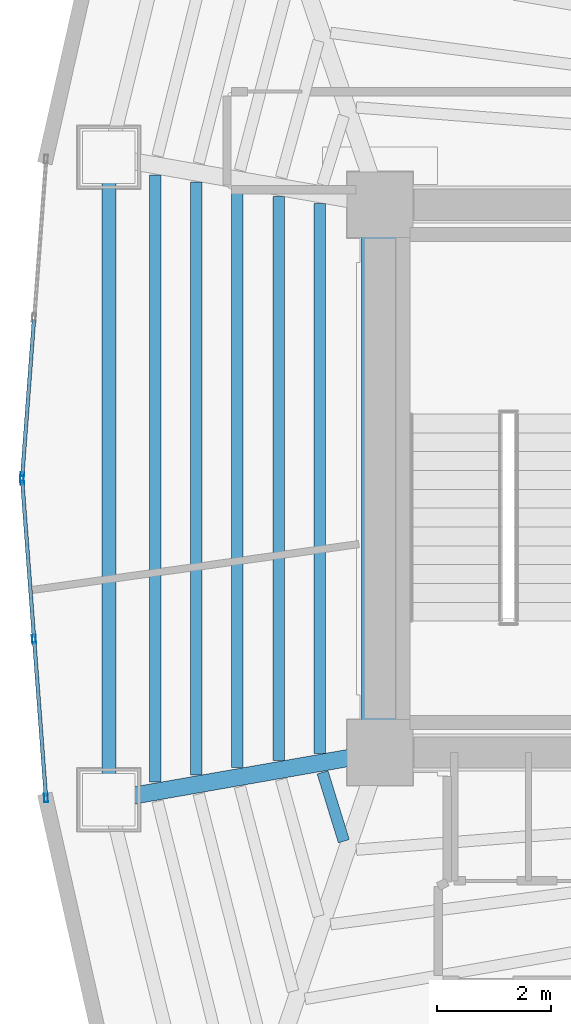
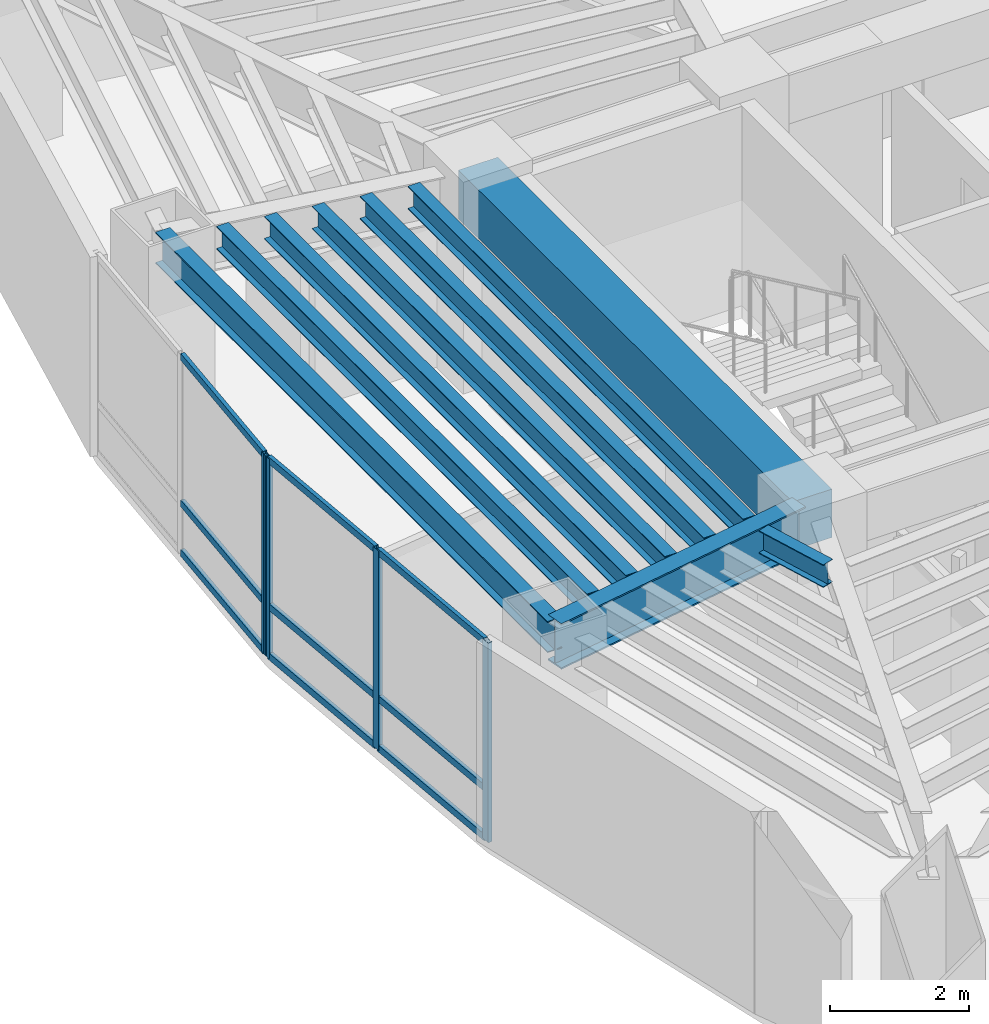
# One storey, part 3 of 15: 13 members, 9 beams, 2 elements without a shape of their own.
"""IFC4 building model written with IfcOpenShell, lengths in metres."""

from ifc_helpers import new_model, si_unit, direction, frame, origin, origin_2d, place, context, subcontext, project, spatial, rectangle, hollow_rectangle, i_section, extrude, material, layer, layer_set, material_profile, profile_set, type_object, element, aggregate, save


model = new_model("IFC4")

# Units and contexts
model_context = context("Model", 3, precision=1e-05, world=origin(), true_north=direction((0.0, 1.0)))
body_context = subcontext(model_context, "Body", "Model", "MODEL_VIEW")
ifc_project = project(units=[si_unit("LENGTHUNIT", "METRE"), si_unit("AREAUNIT", "SQUARE_METRE"), si_unit("VOLUMEUNIT", "CUBIC_METRE"), si_unit("PLANEANGLEUNIT", "RADIAN"), si_unit("MASSUNIT", "GRAM", prefix="KILO")], contexts=[model_context])

# Site, building, storey
site_placement = place(None, origin())
site = spatial("IfcSite", under=ifc_project, at=site_placement, CompositionType="ELEMENT")
building_placement = place(site_placement, origin())
building = spatial("IfcBuilding", under=site, at=building_placement, Name="Menara Vayukalpa", CompositionType="ELEMENT")
storey_placement = place(building_placement, frame((0.0, 0.0, 137.4599609375)))
storey = spatial("IfcBuildingStorey", under=building, at=storey_placement, Name="L34", CompositionType="ELEMENT", Elevation=137.4599609375)

# Beams
ifc_material_1 = material(Name="Concrete C60/75", Category="concrete")
ifc_material_profile_1 = material_profile(ifc_material_1, rectangle(XDim=0.64990234375, YDim=0.85009765625, at=origin_2d()), Name="RC 650x850")
ifc_profile_set_1 = profile_set([ifc_material_profile_1], Name="Concrete C60/75")
beam_type_1 = type_object("IfcBeamType", Name="BM-CB1", PredefinedType="BEAM", material=ifc_profile_set_1)
beam_1_placement = place(storey_placement, frame((17.800048828125, 17.199951171875, 3.074951171875), z_axis=(0.0, 1.0, 0.0), x_axis=(-1.0, 0.0, 0.0)))
element("IfcBeam", 1, at=beam_1_placement, inside=storey, type_object=beam_type_1, Name="L34 Core Tie Beam CBR7", PredefinedType="BEAM", context=body_context, shape_type="SweptSolid", body=[
    extrude(rectangle(XDim=0.64990234375, YDim=0.85009765625, at=origin_2d()), origin(), (0.0, 0.0, 1.0), 9.60009765625),
])
ifc_material_2 = material(Name="Steel S355", Category="steel")
ifc_material_profile_2 = material_profile(ifc_material_2, i_section(OverallWidth=0.300048828125, OverallDepth=0.800048828125, WebThickness=0.013916015625, FlangeThickness=0.02587890625, at=origin_2d()), Name="WF 800x300x14x26")
ifc_profile_set_2 = profile_set([ifc_material_profile_2], Name="Steel S355")
beam_type_2 = type_object("IfcBeamType", Name="BM-PG3", PredefinedType="BEAM", material=ifc_profile_set_2)
beam_2_placement = place(storey_placement, frame((17.5537109375, 17.156982421875, 3.10009765625), z_axis=(-0.985011651805, -0.172487813505, 0.0), x_axis=(0.172487813505, -0.985011651805, 0.0)))
element("IfcBeam", 2, at=beam_2_placement, inside=storey, type_object=beam_type_2, Name="L34 Primary Radial Girder RG06", PredefinedType="BEAM", context=body_context, shape_type="SweptSolid", body=[
    extrude(i_section(OverallWidth=0.300048828125, OverallDepth=0.800048828125, WebThickness=0.013916015625, FlangeThickness=0.02587890625, at=origin_2d()), origin(), (0.0, 0.0, 1.0), 4.5732421875),
])
ifc_material_3 = material(Name="Steel S355", Category="steel")
ifc_material_profile_3 = material_profile(ifc_material_3, i_section(OverallWidth=0.199951171875, OverallDepth=0.39990234375, WebThickness=0.008056640625, FlangeThickness=0.012939453125, at=origin_2d()), Name="WF 400x200x8x13")
ifc_profile_set_3 = profile_set([ifc_material_profile_3], Name="Steel S355")
beam_type_3 = type_object("IfcBeamType", Name="BM-SJ2", PredefinedType="JOIST", material=ifc_profile_set_3)
beam_3_placement = place(storey_placement, frame((16.742919921875, 26.815185546875, 3.300048828125), z_axis=(0.0, -1.0, 0.0), x_axis=(1.0, 0.0, 0.0)))
element("IfcBeam", 3, at=beam_3_placement, inside=storey, type_object=beam_type_3, Name="L34 Secondary Floor Joist SJ05-1", PredefinedType="JOIST", context=body_context, shape_type="SweptSolid", body=[
    extrude(i_section(OverallWidth=0.199951171875, OverallDepth=0.39990234375, WebThickness=0.008056640625, FlangeThickness=0.012939453125, at=origin_2d()), origin(), (0.0, 0.0, 1.0), 9.63037109375),
])
beam_4_placement = place(storey_placement, frame((16.022216796875, 26.94140625, 3.300048828125), z_axis=(0.0, -1.0, 0.0), x_axis=(1.0, 0.0, 0.0)))
element("IfcBeam", 4, at=beam_4_placement, inside=storey, type_object=beam_type_3, Name="L34 Secondary Floor Joist SJ05-2", PredefinedType="JOIST", context=body_context, shape_type="SweptSolid", body=[
    extrude(i_section(OverallWidth=0.199951171875, OverallDepth=0.39990234375, WebThickness=0.008056640625, FlangeThickness=0.012939453125, at=origin_2d()), origin(), (0.0, 0.0, 1.0), 9.8828125),
])
beam_5_placement = place(storey_placement, frame((15.301513671875, 27.0673828125, 3.300048828125), z_axis=(0.0, -1.0, 0.0), x_axis=(1.0, 0.0, 0.0)))
element("IfcBeam", 5, at=beam_5_placement, inside=storey, type_object=beam_type_3, Name="L34 Secondary Floor Joist SJ05-3", PredefinedType="JOIST", context=body_context, shape_type="SweptSolid", body=[
    extrude(i_section(OverallWidth=0.199951171875, OverallDepth=0.39990234375, WebThickness=0.008056640625, FlangeThickness=0.012939453125, at=origin_2d()), origin(), (0.0, 0.0, 1.0), 10.134765625),
])
beam_6_placement = place(storey_placement, frame((14.580810546875, 27.193603515625, 3.300048828125), z_axis=(0.0, -1.0, 0.0), x_axis=(1.0, 0.0, 0.0)))
element("IfcBeam", 6, at=beam_6_placement, inside=storey, type_object=beam_type_3, Name="L34 Secondary Floor Joist SJ05-4", PredefinedType="JOIST", context=body_context, shape_type="SweptSolid", body=[
    extrude(i_section(OverallWidth=0.199951171875, OverallDepth=0.39990234375, WebThickness=0.008056640625, FlangeThickness=0.012939453125, at=origin_2d()), origin(), (0.0, 0.0, 1.0), 10.38720703125),
])
beam_7_placement = place(storey_placement, frame((13.85986328125, 27.31982421875, 3.300048828125), z_axis=(0.0, -1.0, 0.0), x_axis=(1.0, 0.0, 0.0)))
element("IfcBeam", 7, at=beam_7_placement, inside=storey, type_object=beam_type_3, Name="L34 Secondary Floor Joist SJ05-5", PredefinedType="JOIST", context=body_context, shape_type="SweptSolid", body=[
    extrude(i_section(OverallWidth=0.199951171875, OverallDepth=0.39990234375, WebThickness=0.008056640625, FlangeThickness=0.012939453125, at=origin_2d()), origin(), (0.0, 0.0, 1.0), 10.6396484375),
])
beam_8_placement = place(storey_placement, frame((16.79296875, 16.8525390625, 3.300048828125), z_axis=(0.294927758635, -0.955519553534, 0.0), x_axis=(0.955519553534, 0.294927758635, 0.0)))
element("IfcBeam", 8, at=beam_8_placement, inside=storey, type_object=beam_type_3, Name="L34 Secondary Floor Joist SJ06-1", PredefinedType="JOIST", context=body_context, shape_type="SweptSolid", body=[
    extrude(i_section(OverallWidth=0.199951171875, OverallDepth=0.39990234375, WebThickness=0.008056640625, FlangeThickness=0.012939453125, at=origin_2d()), origin(), (0.0, 0.0, 1.0), 1.26318359375),
])
ifc_material_4 = material(Name="Steel S355", Category="steel")
ifc_material_profile_4 = material_profile(ifc_material_4, i_section(OverallWidth=0.239990234375, OverallDepth=0.550048828125, WebThickness=0.010986328125, FlangeThickness=0.01904296875, at=origin_2d()), Name="WF 550x240x11x19")
ifc_profile_set_4 = profile_set([ifc_material_profile_4], Name="Steel S355")
beam_type_4 = type_object("IfcBeamType", Name="BM-SP2", PredefinedType="SPANDREL", material=ifc_profile_set_4)
beam_9_placement = place(storey_placement, frame((13.049072265625, 27.6318359375, 3.22509765625), z_axis=(0.0, -1.0, 0.0), x_axis=(1.0, 0.0, 0.0)))
element("IfcBeam", 9, at=beam_9_placement, inside=storey, type_object=beam_type_4, Name="L34 Perimeter Spandrel Beam SP05", PredefinedType="SPANDREL", context=body_context, shape_type="SweptSolid", body=[
    extrude(i_section(OverallWidth=0.239990234375, OverallDepth=0.550048828125, WebThickness=0.010986328125, FlangeThickness=0.01904296875, at=origin_2d()), origin(), (0.0, 0.0, 1.0), 11.263671875),
])

# Curtain wall, member
ifc_material_5 = material(Name="Anodised Terracotta Aluminium Alloy 6063-T6", Category="masonry")
ifc_layer = layer(ifc_material_5, 0.14990234375)
ifc_layer_set = layer_set([ifc_layer], Name="Anodised Terracotta Aluminium Alloy 6063-T6")
curtain_wall_type = type_object("IfcCurtainWallType", Name="CW-CW3", PredefinedType="USERDEFINED", material=ifc_layer_set)
curtain_wall_1_placement = place(storey_placement, origin())
curtain_wall_1 = element("IfcCurtainWall", 10, at=curtain_wall_1_placement, inside=storey, type_object=curtain_wall_type, Name="L34 Mid Rise Terracotta Ribbon Curtain Wall CW3 10", ObjectType="UNITISED", PredefinedType="USERDEFINED")
ifc_material_6 = material(Name="Anodised Terracotta Aluminium Alloy 6063-T6", Category="masonry")
ifc_material_profile_5 = material_profile(ifc_material_6, hollow_rectangle(XDim=0.06494140625, YDim=0.14990234375, WallThickness=0.00341796875, at=origin_2d()), Name="ALU 65x150x3.5")
ifc_profile_set_5 = profile_set([ifc_material_profile_5], Name="Anodised Terracotta Aluminium Alloy 6063-T6")
member_type_1 = type_object("IfcMemberType", Name="CWM-CW3", PredefinedType="MULLION", material=ifc_profile_set_5)
member_1_placement = place(storey_placement, frame((11.529052734375, 22.032470703125, 0.0), z_axis=(0.0, 0.0, 1.0), x_axis=(0.997199111801, -0.074792589364, 0.0)))
member_1 = element("IfcMember", 11, at=member_1_placement, type_object=member_type_1, Name="CW3 mullion 3", PredefinedType="MULLION", context=body_context, shape_type="SweptSolid", body=[
    extrude(hollow_rectangle(XDim=0.06494140625, YDim=0.14990234375, WallThickness=0.00341796875, at=origin_2d()), origin(), (0.0, 0.0, 1.0), 3.5),
])

# Curtain wall, members
curtain_wall_2_placement = place(storey_placement, origin())
curtain_wall_2 = element("IfcCurtainWall", 12, at=curtain_wall_2_placement, inside=storey, type_object=curtain_wall_type, Name="L34 Mid Rise Terracotta Ribbon Curtain Wall CW3 11", ObjectType="UNITISED", PredefinedType="USERDEFINED")
member_2_placement = place(storey_placement, frame((11.529052734375, 21.967529296875, 0.0), z_axis=(0.0, 0.0, 1.0), x_axis=(0.997199111801, 0.074792589364, 0.0)))
member_2 = element("IfcMember", 13, at=member_2_placement, type_object=member_type_1, Name="CW3 mullion 1", PredefinedType="MULLION", context=body_context, shape_type="SweptSolid", body=[
    extrude(hollow_rectangle(XDim=0.06494140625, YDim=0.14990234375, WallThickness=0.00341796875, at=origin_2d()), origin(), (0.0, 0.0, 1.0), 3.5),
])
member_3_placement = place(storey_placement, frame((11.73779296875, 19.18408203125, 0.0), z_axis=(0.0, 0.0, 1.0), x_axis=(0.997199111801, 0.074792589364, 0.0)))
member_3 = element("IfcMember", 14, at=member_3_placement, type_object=member_type_1, Name="CW3 mullion 2", PredefinedType="MULLION", context=body_context, shape_type="SweptSolid", body=[
    extrude(hollow_rectangle(XDim=0.06494140625, YDim=0.14990234375, WallThickness=0.00341796875, at=origin_2d()), origin(), (0.0, 0.0, 1.0), 3.5),
])
member_4_placement = place(storey_placement, frame((11.94677734375, 16.400634765625, 0.0), z_axis=(0.0, 0.0, 1.0), x_axis=(0.997199111801, 0.074792589364, 0.0)))
member_4 = element("IfcMember", 15, at=member_4_placement, type_object=member_type_1, Name="CW3 mullion 3", PredefinedType="MULLION", context=body_context, shape_type="SweptSolid", body=[
    extrude(hollow_rectangle(XDim=0.06494140625, YDim=0.14990234375, WallThickness=0.00341796875, at=origin_2d()), origin(), (0.0, 0.0, 1.0), 3.5),
])

# Member
ifc_material_7 = material(Name="Anodised Terracotta Aluminium Alloy 6063-T6", Category="masonry")
ifc_material_profile_6 = material_profile(ifc_material_7, hollow_rectangle(XDim=0.06494140625, YDim=0.1201171875, WallThickness=0.00341796875, at=origin_2d()), Name="ALU 65x120x3.5")
ifc_profile_set_6 = profile_set([ifc_material_profile_6], Name="Anodised Terracotta Aluminium Alloy 6063-T6")
member_type_2 = type_object("IfcMemberType", Name="CWT-CW3", PredefinedType="USERDEFINED", material=ifc_profile_set_6)
member_5_placement = place(storey_placement, frame((11.7353515625, 24.783447265625, 0.032470703125), z_axis=(-0.074772138913, -0.997200645428, 0.0), x_axis=(0.997200645428, -0.074772138913, 0.0)))
member_5 = element("IfcMember", 16, at=member_5_placement, type_object=member_type_2, Name="CW3 transom 2.1", ObjectType="TRANSOM", PredefinedType="USERDEFINED", context=body_context, shape_type="SweptSolid", body=[
    extrude(hollow_rectangle(XDim=0.06494140625, YDim=0.1201171875, WallThickness=0.00341796875, at=origin_2d()), origin(), (0.0, 0.0, 1.0), 2.726318359375),
])

member_6_placement = place(storey_placement, frame((11.7353515625, 24.783447265625, 0.900146484375), z_axis=(-0.074772138913, -0.997200645428, 0.0), x_axis=(0.997200645428, -0.074772138913, 0.0)))
member_6 = element("IfcMember", 17, at=member_6_placement, type_object=member_type_2, Name="CW3 transom 2.2", ObjectType="TRANSOM", PredefinedType="USERDEFINED", context=body_context, shape_type="SweptSolid", body=[
    extrude(hollow_rectangle(XDim=0.06494140625, YDim=0.1201171875, WallThickness=0.00341796875, at=origin_2d()), origin(), (0.0, 0.0, 1.0), 2.726318359375),
])

member_7_placement = place(storey_placement, frame((11.7353515625, 24.783447265625, 3.467529296875), z_axis=(-0.074772138913, -0.997200645428, 0.0), x_axis=(0.997200645428, -0.074772138913, 0.0)))
member_7 = element("IfcMember", 18, at=member_7_placement, type_object=member_type_2, Name="CW3 transom 2.3", ObjectType="TRANSOM", PredefinedType="USERDEFINED", context=body_context, shape_type="SweptSolid", body=[
    extrude(hollow_rectangle(XDim=0.06494140625, YDim=0.1201171875, WallThickness=0.00341796875, at=origin_2d()), origin(), (0.0, 0.0, 1.0), 2.726318359375),
])

aggregate(curtain_wall_1, [member_1, member_5, member_6, member_7])

member_8_placement = place(storey_placement, frame((11.531494140625, 21.935302734375, 0.032470703125), z_axis=(0.074772138913, -0.997200645428, 0.0), x_axis=(0.997200645428, 0.074772138913, 0.0)))
member_8 = element("IfcMember", 19, at=member_8_placement, type_object=member_type_2, Name="CW3 transom 1.1", ObjectType="TRANSOM", PredefinedType="USERDEFINED", context=body_context, shape_type="SweptSolid", body=[
    extrude(hollow_rectangle(XDim=0.06494140625, YDim=0.1201171875, WallThickness=0.00341796875, at=origin_2d()), origin(), (0.0, 0.0, 1.0), 2.726318359375),
])

member_9_placement = place(storey_placement, frame((11.531494140625, 21.935302734375, 0.900146484375), z_axis=(0.074772138913, -0.997200645428, 0.0), x_axis=(0.997200645428, 0.074772138913, 0.0)))
member_9 = element("IfcMember", 20, at=member_9_placement, type_object=member_type_2, Name="CW3 transom 1.2", ObjectType="TRANSOM", PredefinedType="USERDEFINED", context=body_context, shape_type="SweptSolid", body=[
    extrude(hollow_rectangle(XDim=0.06494140625, YDim=0.1201171875, WallThickness=0.00341796875, at=origin_2d()), origin(), (0.0, 0.0, 1.0), 2.726318359375),
])

member_10_placement = place(storey_placement, frame((11.531494140625, 21.935302734375, 3.467529296875), z_axis=(0.074772138913, -0.997200645428, 0.0), x_axis=(0.997200645428, 0.074772138913, 0.0)))
member_10 = element("IfcMember", 21, at=member_10_placement, type_object=member_type_2, Name="CW3 transom 1.3", ObjectType="TRANSOM", PredefinedType="USERDEFINED", context=body_context, shape_type="SweptSolid", body=[
    extrude(hollow_rectangle(XDim=0.06494140625, YDim=0.1201171875, WallThickness=0.00341796875, at=origin_2d()), origin(), (0.0, 0.0, 1.0), 2.726318359375),
])

member_11_placement = place(storey_placement, frame((11.740234375, 19.151611328125, 0.032470703125), z_axis=(0.074867870211, -0.997193462679, 0.0), x_axis=(0.997193462679, 0.074867870211, 0.0)))
member_11 = element("IfcMember", 22, at=member_11_placement, type_object=member_type_2, Name="CW3 transom 2.1", ObjectType="TRANSOM", PredefinedType="USERDEFINED", context=body_context, shape_type="SweptSolid", body=[
    extrude(hollow_rectangle(XDim=0.06494140625, YDim=0.1201171875, WallThickness=0.00341796875, at=origin_2d()), origin(), (0.0, 0.0, 1.0), 2.72607421875),
])

member_12_placement = place(storey_placement, frame((11.740234375, 19.151611328125, 0.900146484375), z_axis=(0.074867870211, -0.997193462679, 0.0), x_axis=(0.997193462679, 0.074867870211, 0.0)))
member_12 = element("IfcMember", 23, at=member_12_placement, type_object=member_type_2, Name="CW3 transom 2.2", ObjectType="TRANSOM", PredefinedType="USERDEFINED", context=body_context, shape_type="SweptSolid", body=[
    extrude(hollow_rectangle(XDim=0.06494140625, YDim=0.1201171875, WallThickness=0.00341796875, at=origin_2d()), origin(), (0.0, 0.0, 1.0), 2.72607421875),
])

member_13_placement = place(storey_placement, frame((11.740234375, 19.151611328125, 3.467529296875), z_axis=(0.074867870211, -0.997193462679, 0.0), x_axis=(0.997193462679, 0.074867870211, 0.0)))
member_13 = element("IfcMember", 24, at=member_13_placement, type_object=member_type_2, Name="CW3 transom 2.3", ObjectType="TRANSOM", PredefinedType="USERDEFINED", context=body_context, shape_type="SweptSolid", body=[
    extrude(hollow_rectangle(XDim=0.06494140625, YDim=0.1201171875, WallThickness=0.00341796875, at=origin_2d()), origin(), (0.0, 0.0, 1.0), 2.72607421875),
])

aggregate(curtain_wall_2, [member_2, member_3, member_4, member_8, member_9, member_10, member_11, member_12, member_13])

save(model, "model.ifc")
